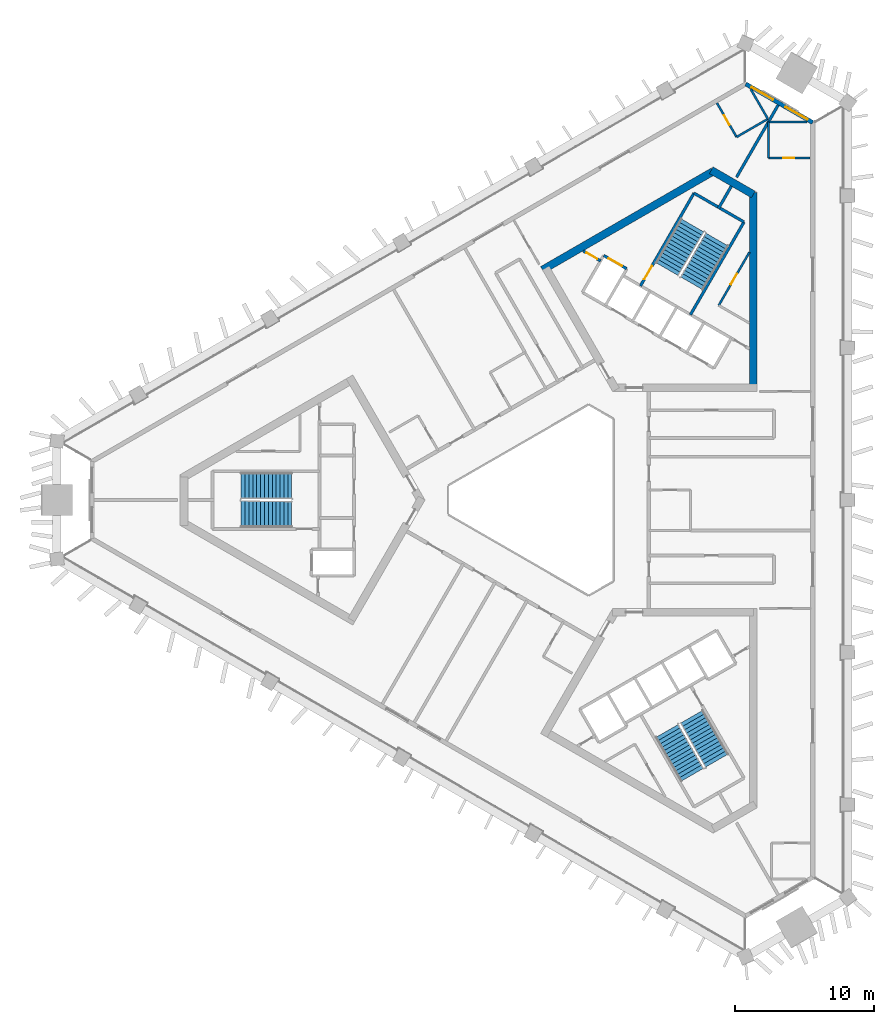
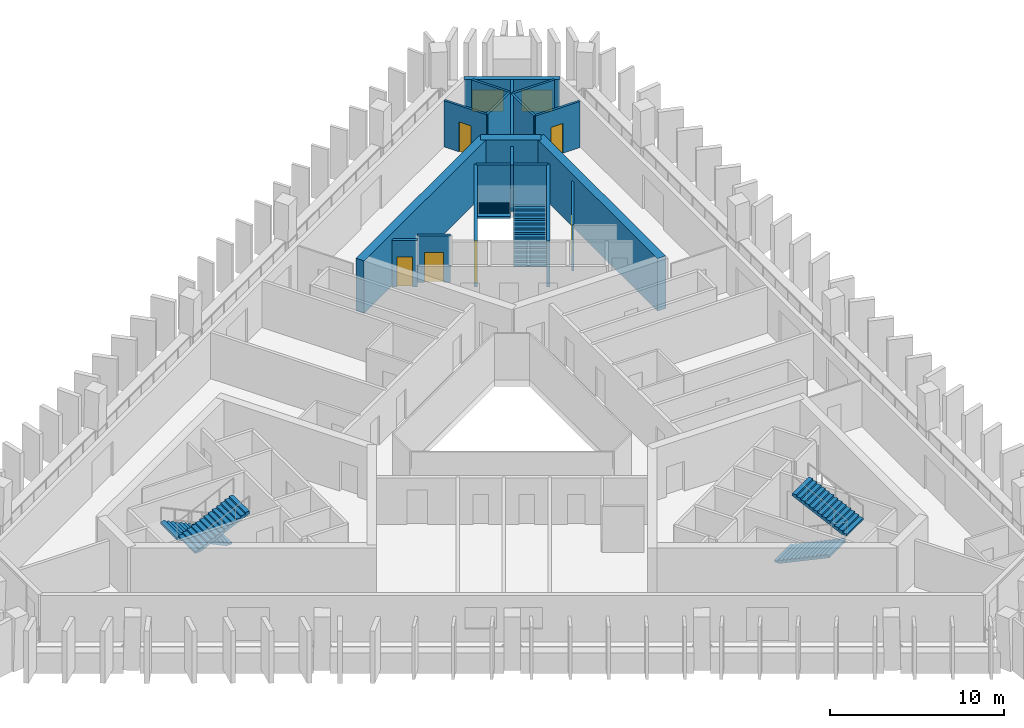
# One storey, part 6 of 10: 18 walls, 6 doors, 6 stair flights, 2 windows, 8 openings, 3 elements without a shape of their own.
"""IFC4 building model written with IfcOpenShell, lengths in metres."""

from ifc_helpers import new_model, si_unit, direction, frame, frame_2d, origin, place, context, subcontext, project, spatial, polyline, rectangle, outline, extrude, material, layer, layer_set, type_object, element, fill, aggregate, save


model = new_model("IFC4")

# Units and contexts
model_context = context("Model", 3, precision=1e-05, world=origin(), true_north=direction((0.0, 1.0)))
body_context = subcontext(model_context, "Body", "Model", "MODEL_VIEW")
ifc_project = project(units=[si_unit("LENGTHUNIT", "METRE"), si_unit("AREAUNIT", "SQUARE_METRE"), si_unit("VOLUMEUNIT", "CUBIC_METRE"), si_unit("PLANEANGLEUNIT", "RADIAN"), si_unit("MASSUNIT", "GRAM", prefix="KILO")], contexts=[model_context])

# Site, building, storey
site_placement = place(None, origin())
site = spatial("IfcSite", under=ifc_project, at=site_placement, CompositionType="ELEMENT")
building_placement = place(site_placement, origin())
building = spatial("IfcBuilding", under=site, at=building_placement, Name="Jabali Bay Hotel Tower and Convention Centre", CompositionType="ELEMENT")
storey_placement = place(building_placement, frame((0.0, 0.0, 160.0)))
storey = spatial("IfcBuildingStorey", under=building, at=storey_placement, Name="L38", CompositionType="ELEMENT", Elevation=160.0)

# Wall
ifc_material_1 = material(Name="Concrete C40", Category="concrete")
ifc_layer_1 = layer(ifc_material_1, 0.199951171875)
ifc_layer_set_1 = layer_set([ifc_layer_1], Name="Concrete C40")
wall_type_1 = type_object("IfcWallType", Name="Core partition wall 200", PredefinedType="PARTITIONING", material=ifc_layer_set_1)
wall_1_placement = place(storey_placement, frame((87.090087890625, 100.9404296875, 0.0), z_axis=(0.0, 0.0, 1.0), x_axis=(0.499951854219, 0.86605319898, 0.0)))
element("IfcWall", 1, at=wall_1_placement, inside=storey, type_object=wall_type_1, Name="Core wall 1.5 L38", PredefinedType="PARTITIONING", context=body_context, shape_type="SweptSolid", body=[
    extrude(rectangle(XDim=1.873291015625, YDim=0.199951171875, at=frame_2d((0.9365234375, 0.0))), origin(), (0.0, 0.0, 1.0), 3.25),
])

# Wall, opening, door
wall_2_placement = place(storey_placement, frame((78.630126953125, 97.187744140625, 0.0), z_axis=(0.0, 0.0, 1.0), x_axis=(-0.866003949776, 0.500037157592, 0.0)))
wall_2 = element("IfcWall", 2, at=wall_2_placement, inside=storey, type_object=wall_type_1, Name="Core wall 1.12 L38", PredefinedType="PARTITIONING", context=body_context, shape_type="SweptSolid", body=[
    extrude(rectangle(XDim=1.455078125, YDim=0.199951171875, at=frame_2d((0.7275390625, 0.0))), origin(), (0.0, 0.0, 1.0), 3.25),
])
opening_1_placement = place(wall_2_placement, frame((0.277587890625, 0.0, 0.0)))
opening_1 = element("IfcOpeningElement", 3, at=opening_1_placement, cuts=wall_2, Name="Opening D835", PredefinedType="OPENING", context=body_context, shape_type="SweptSolid", body=[
    extrude(rectangle(XDim=0.89990234375, YDim=2.10009765625, at=frame_2d((0.449951171875, 1.050048828125))), frame((0.0, 0.1103515625, 0.0), z_axis=(0.0, -1.0, 0.0), x_axis=(1.0, 0.0, 0.0)), (0.0, 0.0, 1.0), 0.220947265625),
])
ifc_material_2 = material(Name="Fire-rated steel door", Category="steel")
door_type_1 = type_object("IfcDoorType", Name="Vestibule fire door 900 x 2100", OperationType="NOTDEFINED", PredefinedType="NOTDEFINED", material=ifc_material_2)
door_1_placement = place(opening_1_placement, origin())
door_1 = element("IfcDoor", 4, at=door_1_placement, inside=storey, type_object=door_type_1, Name="Vestibule fire door D835", OperationType="SINGLE_SWING_LEFT", OverallHeight=2.10009765625, OverallWidth=0.89990234375, PredefinedType="NOTDEFINED", context=body_context, shape_type="SweptSolid", body=[
    extrude(rectangle(XDim=0.89990234375, YDim=2.10009765625, at=frame_2d((0.449951171875, 1.050048828125))), frame((0.0, 0.02490234375, 0.0), z_axis=(0.0, -1.0, 0.0), x_axis=(1.0, 0.0, 0.0)), (0.0, 0.0, 1.0), 0.050048828125),
])
fill(opening_1, door_1)

ifc_material_3 = material(Name="Fire-rated board partition")
ifc_layer_2 = layer(ifc_material_3, 0.14990234375)
ifc_layer_set_2 = layer_set([ifc_layer_2], Name="Fire-rated board partition")
wall_type_2 = type_object("IfcWallType", Name="Core room partition 150", PredefinedType="PARTITIONING", material=ifc_layer_set_2)
wall_3_placement = place(storey_placement, frame((87.12109375, 93.994384765625, 0.0), z_axis=(0.0, 0.0, 1.0), x_axis=(0.500014254795, 0.866017173618, 0.0)))
wall_3 = element("IfcWall", 5, at=wall_3_placement, inside=storey, type_object=wall_type_2, Name="Core wall 1.1 L38", PredefinedType="PARTITIONING", context=body_context, shape_type="SweptSolid", body=[
    extrude(rectangle(XDim=4.417724609375, YDim=0.14990234375, at=frame_2d((2.208984375, 0.0))), origin(), (0.0, 0.0, 1.0), 3.25),
])
opening_2_placement = place(wall_3_placement, frame((1.7314453125, 0.0, 0.0)))
opening_2 = element("IfcOpeningElement", 6, at=opening_2_placement, cuts=wall_3, Name="Opening D838", PredefinedType="OPENING", context=body_context, shape_type="SweptSolid", body=[
    extrude(rectangle(XDim=0.89990234375, YDim=2.10009765625, at=frame_2d((0.449951171875, 1.050048828125))), frame((0.0, 0.08544921875, 0.0), z_axis=(0.0, -1.0, 0.0), x_axis=(1.0, 0.0, 0.0)), (0.0, 0.0, 1.0), 0.1708984375),
])
door_type_2 = type_object("IfcDoorType", Name="Core room door 900 x 2100", OperationType="NOTDEFINED", PredefinedType="NOTDEFINED", material=ifc_material_2)
door_2_placement = place(opening_2_placement, origin())
door_2 = element("IfcDoor", 7, at=door_2_placement, inside=storey, type_object=door_type_2, Name="Core room door D838", OperationType="SINGLE_SWING_LEFT", OverallHeight=2.10009765625, OverallWidth=0.89990234375, PredefinedType="NOTDEFINED", context=body_context, shape_type="SweptSolid", body=[
    extrude(rectangle(XDim=0.89990234375, YDim=2.10009765625, at=frame_2d((0.449951171875, 1.050048828125))), frame((0.0, 0.02490234375, 0.0), z_axis=(0.0, -1.0, 0.0), x_axis=(1.0, 0.0, 0.0)), (0.0, 0.0, 1.0), 0.050048828125),
])
fill(opening_2, door_2)

# Wall
ifc_layer_3 = layer(ifc_material_1, 0.199951171875)
ifc_layer_set_3 = layer_set([ifc_layer_3], Name="Concrete C40")
wall_type_3 = type_object("IfcWallType", Name="Core stair wall 200", PredefinedType="SOLIDWALL", material=ifc_layer_set_3)
wall_4_placement = place(storey_placement, frame((85.0869140625, 93.3212890625, 0.0), z_axis=(0.0, 0.0, 1.0), x_axis=(0.500019787375, 0.866013979237, 0.0)))
element("IfcWall", 8, at=wall_4_placement, inside=storey, type_object=wall_type_3, Name="Core wall 1.3 L38", PredefinedType="SOLIDWALL", context=body_context, shape_type="SweptSolid", body=[
    extrude(rectangle(XDim=7.699951171875, YDim=0.199951171875, at=frame_2d((3.85009765625, 0.0))), origin(), (0.0, 0.0, 1.0), 3.25),
])

# Wall, opening, door
wall_5_placement = place(storey_placement, frame((81.492919921875, 95.396240234375, 0.0), z_axis=(0.0, 0.0, 1.0), x_axis=(0.500006057782, 0.866021906294, 0.0)))
wall_5 = element("IfcWall", 9, at=wall_5_placement, inside=storey, type_object=wall_type_3, Name="Core wall 1.7 L38", PredefinedType="SOLIDWALL", context=body_context, shape_type="SweptSolid", body=[
    extrude(rectangle(XDim=7.7001953125, YDim=0.199951171875, at=frame_2d((3.85009765625, 0.0))), origin(), (0.0, 0.0, 1.0), 3.25),
])
opening_3_placement = place(wall_5_placement, frame((0.550048828125, 0.0, 0.0)))
opening_3 = element("IfcOpeningElement", 10, at=opening_3_placement, cuts=wall_5, Name="Opening D837", PredefinedType="OPENING", context=body_context, shape_type="SweptSolid", body=[
    extrude(rectangle(XDim=1.10009765625, YDim=2.10009765625, at=frame_2d((0.550048828125, 1.050048828125))), frame((0.0, 0.1103515625, 0.0), z_axis=(0.0, -1.0, 0.0), x_axis=(1.0, 0.0, 0.0)), (0.0, 0.0, 1.0), 0.220947265625),
])
door_type_3 = type_object("IfcDoorType", Name="Stair fire door 1100 x 2100", OperationType="NOTDEFINED", PredefinedType="NOTDEFINED", material=ifc_material_2)
door_3_placement = place(opening_3_placement, origin())
door_3 = element("IfcDoor", 11, at=door_3_placement, inside=storey, type_object=door_type_3, Name="Stair fire door D837", OperationType="SINGLE_SWING_RIGHT", OverallHeight=2.10009765625, OverallWidth=1.10009765625, PredefinedType="NOTDEFINED", context=body_context, shape_type="SweptSolid", body=[
    extrude(rectangle(XDim=1.10009765625, YDim=2.10009765625, at=frame_2d((0.550048828125, 1.050048828125))), frame((0.0, 0.02490234375, 0.0), z_axis=(0.0, -1.0, 0.0), x_axis=(1.0, 0.0, 0.0)), (0.0, 0.0, 1.0), 0.050048828125),
])
fill(opening_3, door_3)

wall_6_placement = place(storey_placement, frame((80.50048828125, 96.62744140625, 0.0), z_axis=(0.0, 0.0, 1.0), x_axis=(-0.86601224135, 0.500022797313, 0.0)))
wall_6 = element("IfcWall", 12, at=wall_6_placement, inside=storey, type_object=wall_type_3, Name="Core wall 1.13 L38", PredefinedType="SOLIDWALL", context=body_context, shape_type="SweptSolid", body=[
    extrude(rectangle(XDim=1.89990234375, YDim=0.199951171875, at=frame_2d((0.949951171875, 0.0))), origin(), (0.0, 0.0, 1.0), 3.25),
])
opening_4_placement = place(wall_6_placement, frame((0.39990234375, 0.0, 0.0)))
opening_4 = element("IfcOpeningElement", 13, at=opening_4_placement, cuts=wall_6, Name="Opening LD10-L38", PredefinedType="OPENING", context=body_context, shape_type="SweptSolid", body=[
    extrude(rectangle(XDim=1.10009765625, YDim=2.10009765625, at=frame_2d((0.550048828125, 1.050048828125))), frame((0.0, 0.1103515625, 0.0), z_axis=(0.0, -1.0, 0.0), x_axis=(1.0, 0.0, 0.0)), (0.0, 0.0, 1.0), 0.220947265625),
])
ifc_material_4 = material(Name="Stainless steel landing door", Category="steel")
door_type_4 = type_object("IfcDoorType", Name="Landing door 1100 x 2100", OperationType="NOTDEFINED", PredefinedType="NOTDEFINED", material=ifc_material_4)
door_4_placement = place(opening_4_placement, origin())
door_4 = element("IfcDoor", 14, at=door_4_placement, inside=storey, type_object=door_type_4, Name="Landing doors LD10-L38", OperationType="SLIDING_TO_RIGHT", OverallHeight=2.10009765625, OverallWidth=1.10009765625, PredefinedType="NOTDEFINED", context=body_context, shape_type="SweptSolid", body=[
    extrude(rectangle(XDim=1.10009765625, YDim=2.10009765625, at=frame_2d((0.550048828125, 1.050048828125))), frame((0.0, 0.02490234375, 0.0), z_axis=(0.0, -1.0, 0.0), x_axis=(1.0, 0.0, 0.0)), (0.0, 0.0, 1.0), 0.050048828125),
])
fill(opening_4, door_4)

# Walls
wall_7_placement = place(storey_placement, frame((88.93701171875, 99.989501953125, 0.0), z_axis=(0.0, 0.0, 1.0), x_axis=(-0.866004344652, 0.500036473714, 0.0)))
element("IfcWall", 15, at=wall_7_placement, inside=storey, type_object=wall_type_3, Name="Core wall 1.15 L38", PredefinedType="SOLIDWALL", context=body_context, shape_type="SweptSolid", body=[
    extrude(rectangle(XDim=4.150146484375, YDim=0.199951171875, at=frame_2d((2.0751953125, 0.0))), origin(), (0.0, 0.0, 1.0), 3.25),
])
ifc_material_5 = material(Name="Concrete C60", Category="concrete")
ifc_layer_4 = layer(ifc_material_5, 0.550048828125)
ifc_layer_set_4 = layer_set([ifc_layer_4], Name="Concrete C60")
wall_type_4 = type_object("IfcWallType", Name="Core wall 550", PredefinedType="SHEAR", material=ifc_layer_set_4)
wall_8_placement = place(storey_placement, frame((89.60498046875, 88.0693359375, 0.0), z_axis=(0.0, 0.0, 1.0), x_axis=(0.0, 1.0, 0.0)))
element("IfcWall", 16, at=wall_8_placement, inside=storey, type_object=wall_type_4, Name="Core wall 2.2 L38", PredefinedType="SHEAR", context=body_context, shape_type="SweptSolid", body=[
    extrude(rectangle(XDim=14.058349609375, YDim=0.550048828125, at=frame_2d((7.029296875, 0.0))), origin(), (0.0, 0.0, 1.0), 3.699951171875),
])
wall_9_placement = place(storey_placement, frame((89.60498046875, 101.96875, 0.0), z_axis=(0.0, 0.0, 1.0), x_axis=(-0.865997833373, 0.500047750313, 0.0)))
element("IfcWall", 17, at=wall_9_placement, inside=storey, type_object=wall_type_4, Name="Core wall 2.3 L38", PredefinedType="SHEAR", context=body_context, shape_type="SweptSolid", body=[
    extrude(rectangle(XDim=3.486572265625, YDim=0.550048828125, at=frame_2d((1.7431640625, 0.0))), origin(), (0.0, 0.0, 1.0), 3.699951171875),
])
wall_10_placement = place(storey_placement, frame((86.72314453125, 103.6328125, 0.0), z_axis=(0.0, 0.0, 1.0), x_axis=(-0.866023530946, -0.500003243837, 0.0)))
element("IfcWall", 18, at=wall_10_placement, inside=storey, type_object=wall_type_4, Name="Core wall 2.4 L38", PredefinedType="SHEAR", context=body_context, shape_type="SweptSolid", body=[
    extrude(rectangle(XDim=14.1748046875, YDim=0.550048828125, at=frame_2d((7.08740234375, 0.0))), origin(), (0.0, 0.0, 1.0), 3.699951171875),
])

# Wall, openings, windows
ifc_layer_5 = layer(ifc_material_1, 0.300048828125)
ifc_layer_set_5 = layer_set([ifc_layer_5], Name="Concrete C40")
wall_type_5 = type_object("IfcWallType", Name="External wall 300", PredefinedType="SOLIDWALL", material=ifc_layer_set_5)
wall_11_placement = place(storey_placement, frame((89.06591796875, 109.91650390625, 0.0), z_axis=(0.0, 0.0, 1.0), x_axis=(0.866021602438, -0.500006584067, 0.0)))
wall_11 = element("IfcWall", 19, at=wall_11_placement, inside=storey, type_object=wall_type_5, Name="External wall north-east chamfer L38", PredefinedType="SOLIDWALL", context=body_context, shape_type="SweptSolid", body=[
    extrude(rectangle(XDim=5.5537109375, YDim=0.300048828125, at=frame_2d((2.77685546875, 0.0))), origin(), (0.0, 0.0, 1.0), 3.25),
])
opening_5_placement = place(wall_11_placement, frame((3.312255859375, 0.0, 0.89990234375)))
opening_5 = element("IfcOpeningElement", 20, at=opening_5_placement, cuts=wall_11, Name="Opening W1", PredefinedType="OPENING", context=body_context, shape_type="SweptSolid", body=[
    extrude(rectangle(XDim=1.800048828125, YDim=1.5, at=frame_2d((0.89990234375, 0.75))), frame((0.0, 0.16064453125, 0.0), z_axis=(0.0, -1.0, 0.0), x_axis=(1.0, 0.0, 0.0)), (0.0, 0.0, 1.0), 0.321044921875),
])
opening_6_placement = place(wall_11_placement, frame((0.47607421875, 0.0, 0.89990234375)))
opening_6 = element("IfcOpeningElement", 21, at=opening_6_placement, cuts=wall_11, Name="Opening W1", PredefinedType="OPENING", context=body_context, shape_type="SweptSolid", body=[
    extrude(rectangle(XDim=1.800048828125, YDim=1.5, at=frame_2d((0.89990234375, 0.75))), frame((0.0, 0.16064453125, 0.0), z_axis=(0.0, -1.0, 0.0), x_axis=(1.0, 0.0, 0.0)), (0.0, 0.0, 1.0), 0.321044921875),
])
ifc_material_6 = material(Name="Glass", Category="glass")
window_type = type_object("IfcWindowType", Name="Window 1800 x 1500", PartitioningType="SINGLE_PANEL", PredefinedType="WINDOW", material=ifc_material_6)
window_1_placement = place(opening_5_placement, origin())
window_1 = element("IfcWindow", 22, at=window_1_placement, inside=storey, type_object=window_type, Name="Window 3804", OverallHeight=1.5, OverallWidth=1.800048828125, PartitioningType="SINGLE_PANEL", PredefinedType="WINDOW", context=body_context, shape_type="SweptSolid", body=[
    extrude(rectangle(XDim=1.800048828125, YDim=1.5, at=frame_2d((0.89990234375, 0.75))), frame((0.0, 0.030029296875, 0.0), z_axis=(0.0, -1.0, 0.0), x_axis=(1.0, 0.0, 0.0)), (0.0, 0.0, 1.0), 0.06005859375),
])
fill(opening_5, window_1)
window_2_placement = place(opening_6_placement, origin())
window_2 = element("IfcWindow", 23, at=window_2_placement, inside=storey, type_object=window_type, Name="Window 3806", OverallHeight=1.5, OverallWidth=1.800048828125, PartitioningType="SINGLE_PANEL", PredefinedType="WINDOW", context=body_context, shape_type="SweptSolid", body=[
    extrude(rectangle(XDim=1.800048828125, YDim=1.5, at=frame_2d((0.89990234375, 0.75))), frame((0.0, 0.030029296875, 0.0), z_axis=(0.0, -1.0, 0.0), x_axis=(1.0, 0.0, 0.0)), (0.0, 0.0, 1.0), 0.06005859375),
])
fill(opening_6, window_2)

# Wall, opening, door
ifc_material_7 = material(Name="Plasterboard on steel stud", Category="steel")
ifc_layer_6 = layer(ifc_material_7, 0.14990234375)
ifc_layer_set_6 = layer_set([ifc_layer_6], Name="Plasterboard on steel stud")
wall_type_6 = type_object("IfcWallType", Name="Partition 150 wet", PredefinedType="PARTITIONING", material=ifc_layer_set_6)
wall_12_placement = place(storey_placement, frame((93.685546875, 104.59423828125, 0.0), z_axis=(0.0, 0.0, 1.0), x_axis=(-1.0, 0.0, 0.0)))
wall_12 = element("IfcWall", 24, at=wall_12_placement, inside=storey, type_object=wall_type_6, Name="Partition P03 L38 018", PredefinedType="PARTITIONING", context=body_context, shape_type="SweptSolid", body=[
    extrude(rectangle(XDim=2.98388671875, YDim=0.14990234375, at=frame_2d((1.491943359375, 0.0))), origin(), (0.0, 0.0, 1.0), 3.25),
])
opening_7_placement = place(wall_12_placement, frame((1.1337890625, 0.0, 0.0)))
opening_7 = element("IfcOpeningElement", 25, at=opening_7_placement, cuts=wall_12, Name="Opening 3809", PredefinedType="OPENING", context=body_context, shape_type="SweptSolid", body=[
    extrude(rectangle(XDim=0.800048828125, YDim=2.10009765625, at=frame_2d((0.39990234375, 1.050048828125))), frame((0.0, 0.08544921875, 0.0), z_axis=(0.0, -1.0, 0.0), x_axis=(1.0, 0.0, 0.0)), (0.0, 0.0, 1.0), 0.1708984375),
])
ifc_material_8 = material(Name="Timber", Category="wood")
door_type_5 = type_object("IfcDoorType", Name="En-suite door 800 x 2100", OperationType="NOTDEFINED", PredefinedType="NOTDEFINED", material=ifc_material_8)
door_5_placement = place(opening_7_placement, origin())
door_5 = element("IfcDoor", 26, at=door_5_placement, inside=storey, type_object=door_type_5, Name="Door 3809", OperationType="SINGLE_SWING_RIGHT", OverallHeight=2.10009765625, OverallWidth=0.800048828125, PredefinedType="NOTDEFINED", context=body_context, shape_type="SweptSolid", body=[
    extrude(rectangle(XDim=0.800048828125, YDim=2.10009765625, at=frame_2d((0.39990234375, 1.050048828125))), frame((0.0, 0.02490234375, 0.0), z_axis=(0.0, -1.0, 0.0), x_axis=(1.0, 0.0, 0.0)), (0.0, 0.0, 1.0), 0.050048828125),
])
fill(opening_7, door_5)

# Walls
wall_13_placement = place(storey_placement, frame((90.70166015625, 104.59423828125, 0.0), z_axis=(0.0, 0.0, 1.0), x_axis=(0.0, 1.0, 0.0)))
element("IfcWall", 27, at=wall_13_placement, inside=storey, type_object=wall_type_6, Name="Partition P03 L38 019", PredefinedType="PARTITIONING", context=body_context, shape_type="SweptSolid", body=[
    extrude(rectangle(XDim=2.60009765625, YDim=0.14990234375, at=frame_2d((1.300048828125, 0.0))), origin(), (0.0, 0.0, 1.0), 3.25),
])
wall_14_placement = place(storey_placement, frame((90.70166015625, 107.1943359375, 0.0), z_axis=(0.0, 0.0, 1.0), x_axis=(1.0, 0.0, 0.0)))
element("IfcWall", 28, at=wall_14_placement, inside=storey, type_object=wall_type_6, Name="Partition P03 L38 020", PredefinedType="PARTITIONING", context=body_context, shape_type="SweptSolid", body=[
    extrude(rectangle(XDim=2.78125, YDim=0.14990234375, at=frame_2d((1.390625, 0.0))), origin(), (0.0, 0.0, 1.0), 3.25),
])
wall_15_placement = place(storey_placement, frame((89.419921875, 109.5400390625, 0.0), z_axis=(0.0, 0.0, 1.0), x_axis=(0.499964791386, -0.866045730533, 0.0)))
element("IfcWall", 29, at=wall_15_placement, inside=storey, type_object=wall_type_6, Name="Partition P03 L38 028", PredefinedType="PARTITIONING", context=body_context, shape_type="SweptSolid", body=[
    extrude(rectangle(XDim=2.470947265625, YDim=0.14990234375, at=frame_2d((1.2353515625, 0.0))), origin(), (0.0, 0.0, 1.0), 3.25),
])
wall_16_placement = place(storey_placement, frame((90.6552734375, 107.400146484375, 0.0), z_axis=(0.0, 0.0, 1.0), x_axis=(-0.866021400173, -0.500006934395, 0.0)))
element("IfcWall", 30, at=wall_16_placement, inside=storey, type_object=wall_type_6, Name="Partition P03 L38 029", PredefinedType="PARTITIONING", context=body_context, shape_type="SweptSolid", body=[
    extrude(rectangle(XDim=2.60009765625, YDim=0.14990234375, at=frame_2d((1.300048828125, 0.0))), origin(), (0.0, 0.0, 1.0), 3.25),
])

# Wall, opening, door
wall_17_placement = place(storey_placement, frame((88.403564453125, 106.10009765625, 0.0), z_axis=(0.0, 0.0, 1.0), x_axis=(-0.499959355765, 0.866048868473, 0.0)))
wall_17 = element("IfcWall", 31, at=wall_17_placement, inside=storey, type_object=wall_type_6, Name="Partition P03 L38 030", PredefinedType="PARTITIONING", context=body_context, shape_type="SweptSolid", body=[
    extrude(rectangle(XDim=2.824951171875, YDim=0.14990234375, at=frame_2d((1.41259765625, 0.0))), origin(), (0.0, 0.0, 1.0), 3.25),
])
opening_8_placement = place(wall_17_placement, frame((1.011962890625, 0.0, 0.0)))
opening_8 = element("IfcOpeningElement", 32, at=opening_8_placement, cuts=wall_17, Name="Opening 3813", PredefinedType="OPENING", context=body_context, shape_type="SweptSolid", body=[
    extrude(rectangle(XDim=0.800048828125, YDim=2.10009765625, at=frame_2d((0.39990234375, 1.050048828125))), frame((0.0, 0.08544921875, 0.0), z_axis=(0.0, -1.0, 0.0), x_axis=(1.0, 0.0, 0.0)), (0.0, 0.0, 1.0), 0.1708984375),
])
door_6_placement = place(opening_8_placement, origin())
door_6 = element("IfcDoor", 33, at=door_6_placement, inside=storey, type_object=door_type_5, Name="Door 3813", OperationType="SINGLE_SWING_RIGHT", OverallHeight=2.10009765625, OverallWidth=0.800048828125, PredefinedType="NOTDEFINED", context=body_context, shape_type="SweptSolid", body=[
    extrude(rectangle(XDim=0.800048828125, YDim=2.10009765625, at=frame_2d((0.39990234375, 1.050048828125))), frame((0.0, 0.02490234375, 0.0), z_axis=(0.0, -1.0, 0.0), x_axis=(1.0, 0.0, 0.0)), (0.0, 0.0, 1.0), 0.050048828125),
])
fill(opening_8, door_6)

# Wall
ifc_layer_7 = layer(ifc_material_7, 0.199951171875)
ifc_layer_set_7 = layer_set([ifc_layer_7], Name="Plasterboard on steel stud")
wall_type_7 = type_object("IfcWallType", Name="Partition 200 party", PredefinedType="PARTITIONING", material=ifc_layer_set_7)
wall_18_placement = place(storey_placement, frame((91.396240234375, 108.39892578125, 0.0), z_axis=(0.0, 0.0, 1.0), x_axis=(-0.499996458184, -0.866027448643, 0.0)))
element("IfcWall", 34, at=wall_18_placement, inside=storey, type_object=wall_type_7, Name="Partition P01 L38 021", PredefinedType="PARTITIONING", context=body_context, shape_type="SweptSolid", body=[
    extrude(rectangle(XDim=5.990234375, YDim=0.199951171875, at=frame_2d((2.9951171875, 0.0))), origin(), (0.0, 0.0, 1.0), 3.25),
])

# Stair, stair flights
stair_type = type_object("IfcStairType", Name="Exit stair 1900", PredefinedType="HALF_TURN_STAIR", material=ifc_material_1)
stair_1_placement = place(storey_placement, origin())
stair_1 = element("IfcStair", 35, at=stair_1_placement, inside=storey, type_object=stair_type, Name="L38 Exit Stair 1", PredefinedType="HALF_TURN_STAIR")
stair_flight_type = type_object("IfcStairFlightType", Name="Stair flight concrete 150", PredefinedType="STRAIGHT", material=ifc_material_1)
stair_flight_1_placement = place(storey_placement, frame((56.419921875, 81.02490234375, 0.0), z_axis=(0.0, 0.0, 1.0), x_axis=(-1.0, 0.0, 0.0)))
stair_flight_1 = element("IfcStairFlight", 36, at=stair_flight_1_placement, type_object=stair_flight_type, Name="ST1 flight 1", NumberOfRisers=14, NumberOfTreads=13, PredefinedType="STRAIGHT", RiserHeight=0.132142857, TreadLength=0.28, context=body_context, shape_type="SweptSolid", body=[
    extrude(outline(polyline([(0.0, 0.0), (0.0, 0.132080078125), (0.280029296875, 0.132080078125), (0.280029296875, 0.264404296875), (0.56005859375, 0.264404296875), (0.56005859375, 0.396484375), (0.840087890625, 0.396484375), (0.840087890625, 0.528564453125), (1.1201171875, 0.528564453125), (1.1201171875, 0.66064453125), (1.39990234375, 0.66064453125), (1.39990234375, 0.79296875), (1.679931640625, 0.79296875), (1.679931640625, 0.925048828125), (1.9599609375, 0.925048828125), (1.9599609375, 1.05712890625), (2.239990234375, 1.05712890625), (2.239990234375, 1.189208984375), (2.52001953125, 1.189208984375), (2.52001953125, 1.321533203125), (2.800048828125, 1.321533203125), (2.800048828125, 1.45361328125), (3.080078125, 1.45361328125), (3.080078125, 1.585693359375), (3.360107421875, 1.585693359375), (3.360107421875, 1.7177734375), (3.639892578125, 1.7177734375), (3.639892578125, 1.85009765625), (3.639892578125, 1.552001953125), (0.351318359375, 0.0), (0.0, 0.0)])), frame((0.0, 0.949951171875, 0.0), z_axis=(0.0, -1.0, 0.0), x_axis=(1.0, 0.0, 0.0)), (0.0, 0.0, 1.0), 1.89990234375),
])
stair_flight_2_placement = place(storey_placement, frame((52.780029296875, 78.97509765625, 1.85009765625), z_axis=(0.0, 0.0, 1.0), x_axis=(1.0, 0.0, 0.0)))
stair_flight_2 = element("IfcStairFlight", 37, at=stair_flight_2_placement, type_object=stair_flight_type, Name="ST1 flight 2", NumberOfRisers=14, NumberOfTreads=13, PredefinedType="STRAIGHT", RiserHeight=0.132142857, TreadLength=0.28, context=body_context, shape_type="SweptSolid", body=[
    extrude(outline(polyline([(0.0, 0.0), (0.0, 0.132080078125), (0.280029296875, 0.132080078125), (0.280029296875, 0.264404296875), (0.56005859375, 0.264404296875), (0.56005859375, 0.396484375), (0.840087890625, 0.396484375), (0.840087890625, 0.528564453125), (1.1201171875, 0.528564453125), (1.1201171875, 0.66064453125), (1.39990234375, 0.66064453125), (1.39990234375, 0.79296875), (1.679931640625, 0.79296875), (1.679931640625, 0.925048828125), (1.9599609375, 0.925048828125), (1.9599609375, 1.05712890625), (2.239990234375, 1.05712890625), (2.239990234375, 1.189208984375), (2.52001953125, 1.189208984375), (2.52001953125, 1.321533203125), (2.800048828125, 1.321533203125), (2.800048828125, 1.45361328125), (3.080078125, 1.45361328125), (3.080078125, 1.585693359375), (3.360107421875, 1.585693359375), (3.360107421875, 1.7177734375), (3.639892578125, 1.7177734375), (3.639892578125, 1.85009765625), (3.639892578125, 1.552001953125), (0.351318359375, 0.0), (0.0, 0.0)])), frame((0.0, 0.949951171875, 0.0), z_axis=(0.0, -1.0, 0.0), x_axis=(1.0, 0.0, 0.0)), (0.0, 0.0, 1.0), 1.89990234375),
])
aggregate(stair_1, [stair_flight_1, stair_flight_2])

stair_2_placement = place(storey_placement, origin())
stair_2 = element("IfcStair", 38, at=stair_2_placement, inside=storey, type_object=stair_type, Name="L38 Exit Stair 2", PredefinedType="HALF_TURN_STAIR")
stair_flight_3_placement = place(storey_placement, frame((85.177734375, 95.578369140625, 0.0), z_axis=(0.0, 0.0, 1.0), x_axis=(0.5, 0.866025403784, 0.0)))
stair_flight_3 = element("IfcStairFlight", 39, at=stair_flight_3_placement, type_object=stair_flight_type, Name="ST2 flight 1", NumberOfRisers=14, NumberOfTreads=13, PredefinedType="STRAIGHT", RiserHeight=0.132142857, TreadLength=0.28, context=body_context, shape_type="SweptSolid", body=[
    extrude(outline(polyline([(0.0, 0.0), (0.0, 0.132080078125), (0.280029296875, 0.132080078125), (0.280029296875, 0.264404296875), (0.56005859375, 0.264404296875), (0.56005859375, 0.396484375), (0.840087890625, 0.396484375), (0.840087890625, 0.528564453125), (1.1201171875, 0.528564453125), (1.1201171875, 0.66064453125), (1.39990234375, 0.66064453125), (1.39990234375, 0.79296875), (1.679931640625, 0.79296875), (1.679931640625, 0.925048828125), (1.9599609375, 0.925048828125), (1.9599609375, 1.05712890625), (2.239990234375, 1.05712890625), (2.239990234375, 1.189208984375), (2.52001953125, 1.189208984375), (2.52001953125, 1.321533203125), (2.800048828125, 1.321533203125), (2.800048828125, 1.45361328125), (3.080078125, 1.45361328125), (3.080078125, 1.585693359375), (3.360107421875, 1.585693359375), (3.360107421875, 1.7177734375), (3.639892578125, 1.7177734375), (3.639892578125, 1.85009765625), (3.639892578125, 1.552001953125), (0.351318359375, 0.0), (0.0, 0.0)])), frame((0.0, 0.949951171875, 0.0), z_axis=(0.0, -1.0, 0.0), x_axis=(1.0, 0.0, 0.0)), (0.0, 0.0, 1.0), 1.89990234375),
])
stair_flight_4_placement = place(storey_placement, frame((85.222412109375, 99.755615234375, 1.85009765625), z_axis=(0.0, 0.0, 1.0), x_axis=(-0.5, -0.866025403784, 0.0)))
stair_flight_4 = element("IfcStairFlight", 40, at=stair_flight_4_placement, type_object=stair_flight_type, Name="ST2 flight 2", NumberOfRisers=14, NumberOfTreads=13, PredefinedType="STRAIGHT", RiserHeight=0.132142857, TreadLength=0.28, context=body_context, shape_type="SweptSolid", body=[
    extrude(outline(polyline([(0.0, 0.0), (0.0, 0.132080078125), (0.280029296875, 0.132080078125), (0.280029296875, 0.264404296875), (0.56005859375, 0.264404296875), (0.56005859375, 0.396484375), (0.840087890625, 0.396484375), (0.840087890625, 0.528564453125), (1.1201171875, 0.528564453125), (1.1201171875, 0.66064453125), (1.39990234375, 0.66064453125), (1.39990234375, 0.79296875), (1.679931640625, 0.79296875), (1.679931640625, 0.925048828125), (1.9599609375, 0.925048828125), (1.9599609375, 1.05712890625), (2.239990234375, 1.05712890625), (2.239990234375, 1.189208984375), (2.52001953125, 1.189208984375), (2.52001953125, 1.321533203125), (2.800048828125, 1.321533203125), (2.800048828125, 1.45361328125), (3.080078125, 1.45361328125), (3.080078125, 1.585693359375), (3.360107421875, 1.585693359375), (3.360107421875, 1.7177734375), (3.639892578125, 1.7177734375), (3.639892578125, 1.85009765625), (3.639892578125, 1.552001953125), (0.351318359375, 0.0), (0.0, 0.0)])), frame((0.0, 0.949951171875, 0.0), z_axis=(0.0, -1.0, 0.0), x_axis=(1.0, 0.0, 0.0)), (0.0, 0.0, 1.0), 1.89990234375),
])
aggregate(stair_2, [stair_flight_3, stair_flight_4])

stair_3_placement = place(storey_placement, origin())
stair_3 = element("IfcStair", 41, at=stair_3_placement, inside=storey, type_object=stair_type, Name="L38 Exit Stair 3", PredefinedType="HALF_TURN_STAIR")
stair_flight_5_placement = place(storey_placement, frame((83.40234375, 63.396728515625, 0.0), z_axis=(0.0, 0.0, 1.0), x_axis=(0.5, -0.866025403784, 0.0)))
stair_flight_5 = element("IfcStairFlight", 42, at=stair_flight_5_placement, type_object=stair_flight_type, Name="ST3 flight 1", NumberOfRisers=14, NumberOfTreads=13, PredefinedType="STRAIGHT", RiserHeight=0.132142857, TreadLength=0.28, context=body_context, shape_type="SweptSolid", body=[
    extrude(outline(polyline([(0.0, 0.0), (0.0, 0.132080078125), (0.280029296875, 0.132080078125), (0.280029296875, 0.264404296875), (0.56005859375, 0.264404296875), (0.56005859375, 0.396484375), (0.840087890625, 0.396484375), (0.840087890625, 0.528564453125), (1.1201171875, 0.528564453125), (1.1201171875, 0.66064453125), (1.39990234375, 0.66064453125), (1.39990234375, 0.79296875), (1.679931640625, 0.79296875), (1.679931640625, 0.925048828125), (1.9599609375, 0.925048828125), (1.9599609375, 1.05712890625), (2.239990234375, 1.05712890625), (2.239990234375, 1.189208984375), (2.52001953125, 1.189208984375), (2.52001953125, 1.321533203125), (2.800048828125, 1.321533203125), (2.800048828125, 1.45361328125), (3.080078125, 1.45361328125), (3.080078125, 1.585693359375), (3.360107421875, 1.585693359375), (3.360107421875, 1.7177734375), (3.639892578125, 1.7177734375), (3.639892578125, 1.85009765625), (3.639892578125, 1.552001953125), (0.351318359375, 0.0), (0.0, 0.0)])), frame((0.0, 0.949951171875, 0.0), z_axis=(0.0, -1.0, 0.0), x_axis=(1.0, 0.0, 0.0)), (0.0, 0.0, 1.0), 1.89990234375),
])
stair_flight_6_placement = place(storey_placement, frame((86.99755859375, 61.26953125, 1.85009765625), z_axis=(0.0, 0.0, 1.0), x_axis=(-0.5, 0.866025403784, 0.0)))
stair_flight_6 = element("IfcStairFlight", 43, at=stair_flight_6_placement, type_object=stair_flight_type, Name="ST3 flight 2", NumberOfRisers=14, NumberOfTreads=13, PredefinedType="STRAIGHT", RiserHeight=0.132142857, TreadLength=0.28, context=body_context, shape_type="SweptSolid", body=[
    extrude(outline(polyline([(0.0, 0.0), (0.0, 0.132080078125), (0.280029296875, 0.132080078125), (0.280029296875, 0.264404296875), (0.56005859375, 0.264404296875), (0.56005859375, 0.396484375), (0.840087890625, 0.396484375), (0.840087890625, 0.528564453125), (1.1201171875, 0.528564453125), (1.1201171875, 0.66064453125), (1.39990234375, 0.66064453125), (1.39990234375, 0.79296875), (1.679931640625, 0.79296875), (1.679931640625, 0.925048828125), (1.9599609375, 0.925048828125), (1.9599609375, 1.05712890625), (2.239990234375, 1.05712890625), (2.239990234375, 1.189208984375), (2.52001953125, 1.189208984375), (2.52001953125, 1.321533203125), (2.800048828125, 1.321533203125), (2.800048828125, 1.45361328125), (3.080078125, 1.45361328125), (3.080078125, 1.585693359375), (3.360107421875, 1.585693359375), (3.360107421875, 1.7177734375), (3.639892578125, 1.7177734375), (3.639892578125, 1.85009765625), (3.639892578125, 1.552001953125), (0.351318359375, 0.0), (0.0, 0.0)])), frame((0.0, 0.949951171875, 0.0), z_axis=(0.0, -1.0, 0.0), x_axis=(1.0, 0.0, 0.0)), (0.0, 0.0, 1.0), 1.89990234375),
])
aggregate(stair_3, [stair_flight_5, stair_flight_6])

save(model, "model.ifc")
